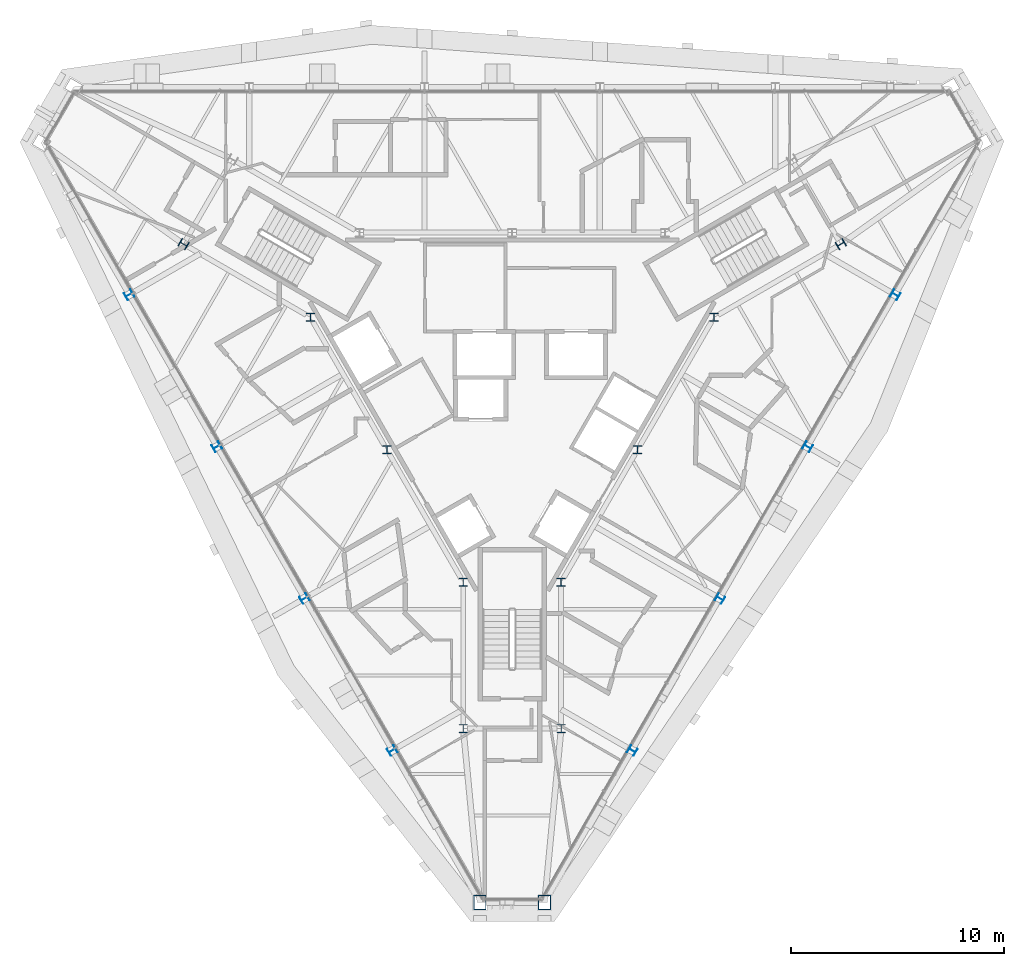
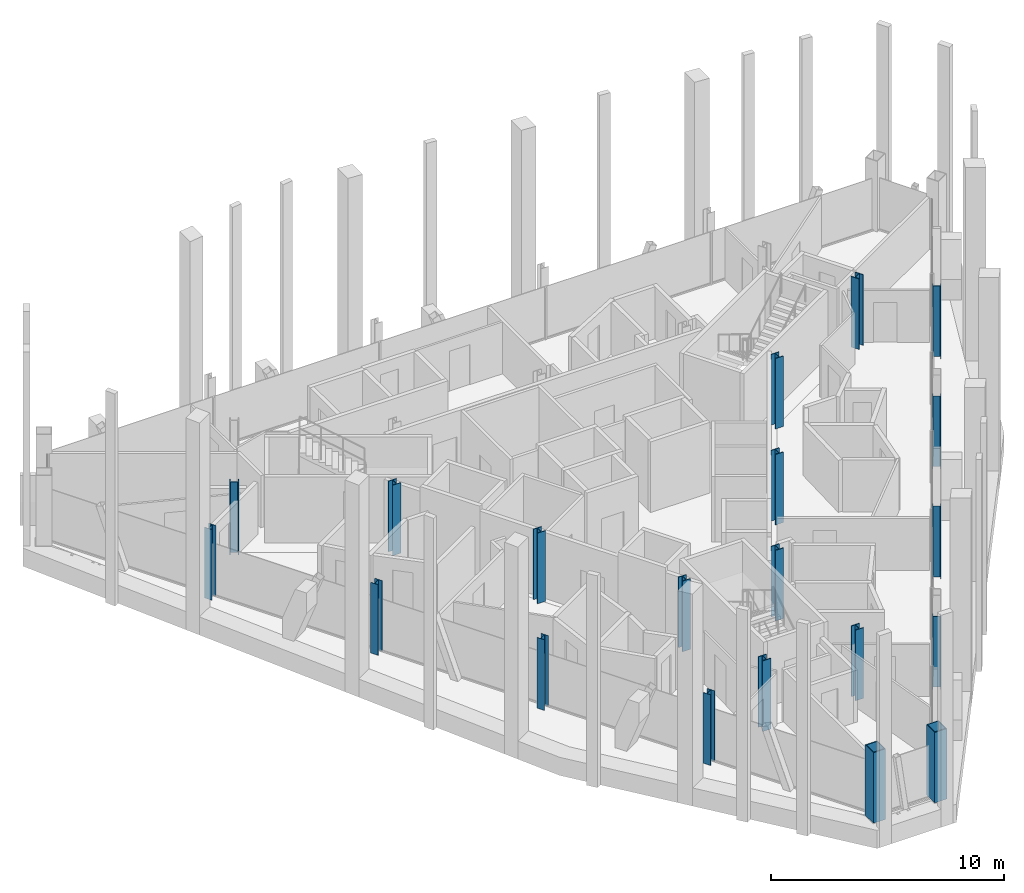
# One storey, part 1 of 15: 20 columns.
"""IFC4 building model written with IfcOpenShell, lengths in metres."""

from ifc_helpers import new_model, si_unit, direction, frame, origin, origin_2d, place, context, subcontext, project, spatial, hollow_rectangle, i_section, extrude, material, material_profile, profile_set, type_object, element, save


model = new_model("IFC4")

# Units and contexts
model_context = context("Model", 3, precision=1e-05, world=origin(), true_north=direction((0.0, 1.0)))
body_context = subcontext(model_context, "Body", "Model", "MODEL_VIEW")
ifc_project = project(units=[si_unit("LENGTHUNIT", "METRE"), si_unit("AREAUNIT", "SQUARE_METRE"), si_unit("VOLUMEUNIT", "CUBIC_METRE"), si_unit("PLANEANGLEUNIT", "RADIAN"), si_unit("MASSUNIT", "GRAM", prefix="KILO")], contexts=[model_context])

# Site, building, storey
site_placement = place(None, origin())
site = spatial("IfcSite", under=ifc_project, at=site_placement, CompositionType="ELEMENT")
building_placement = place(site_placement, origin())
building = spatial("IfcBuilding", under=site, at=building_placement, Name="Verrane Prism Tower", CompositionType="ELEMENT")
storey_placement = place(building_placement, frame((0.0, 0.0, 297.300048828125)))
storey = spatial("IfcBuildingStorey", under=building, at=storey_placement, Name="L75", CompositionType="ELEMENT", Elevation=297.300048828125)

# Columns
ifc_material_1 = material(Name="Steel A992", Category="steel")
ifc_material_profile_1 = material_profile(ifc_material_1, i_section(OverallWidth=0.4013671875, OverallDepth=0.398681640625, WebThickness=0.02490234375, FlangeThickness=0.03955078125, FilletRadius=0.01513671875, at=origin_2d()), Name="W14x211")
ifc_profile_set_1 = profile_set([ifc_material_profile_1], Name="Steel A992")
column_type_1 = type_object("IfcColumnType", Name="Core corner column W14x211", PredefinedType="COLUMN", material=ifc_profile_set_1)
for number, where, z_axis, x_axis, name in (
    (1, (15.43994140625, 6.260009765625, 0.0), (0.0, 0.0, 1.0), (0.5, -0.866025403784, 0.0), "Core corner column CK-NEm L75"),
    (2, (-15.43994140625, 6.260009765625, 0.0), (0.0, 0.0, 1.0), (0.5, 0.866025403784, 0.0), "Core corner column CK-NWp L75"),
    (3, (-2.300048828125, -16.5, 0.0), (0.0, 0.0, 1.0), (-1.0, 0.0, 0.0), "Core corner column CK-Sm L75"),
    (4, (2.300048828125, -16.5, 0.0), (0.0, 0.0, 1.0), (-1.0, 0.0, 0.0), "Core corner column CK-Sp L75"),
):
    element("IfcColumn", number, at=place(storey_placement, frame(where, z_axis=z_axis, x_axis=x_axis)), inside=storey, type_object=column_type_1, Name=name, PredefinedType="COLUMN", context=body_context, shape_type="SweptSolid", body=[
        extrude(i_section(OverallWidth=0.4013671875, OverallDepth=0.398681640625, WebThickness=0.02490234375, FlangeThickness=0.03955078125, FilletRadius=0.01513671875, at=origin_2d()), origin(), (0.0, 0.0, 1.0), 3.699951171875),
    ])
ifc_material_2 = material(Name="Steel A992", Category="steel")
ifc_material_profile_2 = material_profile(ifc_material_2, i_section(OverallWidth=0.398681640625, OverallDepth=0.385986328125, WebThickness=0.02099609375, FlangeThickness=0.033203125, FilletRadius=0.01513671875, at=origin_2d()), Name="W14x176")
ifc_profile_set_2 = profile_set([ifc_material_profile_2], Name="Steel A992")
column_type_2 = type_object("IfcColumnType", Name="Core side column W14x176", PredefinedType="COLUMN", material=ifc_profile_set_2)
for number, where, z_axis, x_axis, name in (
    (5, (9.47998046875, 2.820068359375, 0.0), (0.0, 0.0, 1.0), (1.0, 0.0, 0.0), "Core side column CC-NEm L75"),
    (6, (-9.47998046875, 2.820068359375, 0.0), (0.0, 0.0, 1.0), (1.0, 0.0, 0.0), "Core side column CC-NWp L75"),
    (7, (-5.889892578125, -3.39990234375, 0.0), (0.0, 0.0, 1.0), (1.0, 0.0, 0.0), "Core side column CC-SW0 L75"),
    (8, (-2.300048828125, -9.6201171875, 0.0), (0.0, 0.0, 1.0), (1.0, 0.0, 0.0), "Core side column CC-Sm L75"),
    (9, (2.300048828125, -9.6201171875, 0.0), (0.0, 0.0, 1.0), (1.0, 0.0, 0.0), "Core side column CC-Sp L75"),
    (10, (5.889892578125, -3.39990234375, 0.0), (0.0, 0.0, 1.0), (1.0, 0.0, 0.0), "Core side column CC-SE0 L75"),
):
    element("IfcColumn", number, at=place(storey_placement, frame(where, z_axis=z_axis, x_axis=x_axis)), inside=storey, type_object=column_type_2, Name=name, PredefinedType="COLUMN", context=body_context, shape_type="SweptSolid", body=[
        extrude(i_section(OverallWidth=0.398681640625, OverallDepth=0.385986328125, WebThickness=0.02099609375, FlangeThickness=0.033203125, FilletRadius=0.01513671875, at=origin_2d()), origin(), (0.0, 0.0, 1.0), 3.699951171875),
    ])
ifc_material_3 = material(Name="Steel A572 Grade 50", Category="steel")
ifc_material_profile_3 = material_profile(ifc_material_3, hollow_rectangle(XDim=0.60009765625, YDim=0.699951171875, WallThickness=0.0400390625, at=origin_2d()), Name="BOX 700x600x40")
ifc_profile_set_3 = profile_set([ifc_material_profile_3], Name="Steel A572 Grade 50")
column_type_3 = type_object("IfcColumnType", Name="Megacolumn BOX 700x600x40", PredefinedType="COLUMN", material=ifc_profile_set_3)
for number, where, z_axis, x_axis, name in (
    (11, (-1.52001953125, -24.669921875, 0.0), (0.0, 0.0, 1.0), (-1.0, 0.0, 0.0), "Megacolumn MC-S.a L75"),
    (12, (1.52001953125, -24.669921875, 0.0), (0.0, 0.0, 1.0), (-1.0, 0.0, 0.0), "Megacolumn MC-S.b L75"),
):
    element("IfcColumn", number, at=place(storey_placement, frame(where, z_axis=z_axis, x_axis=x_axis)), inside=storey, type_object=column_type_3, Name=name, PredefinedType="COLUMN", context=body_context, shape_type="SweptSolid", body=[
        extrude(hollow_rectangle(XDim=0.60009765625, YDim=0.699951171875, WallThickness=0.0400390625, at=origin_2d()), origin(), (0.0, 0.0, 1.0), 3.699951171875),
    ])
ifc_material_4 = material(Name="Steel A992", Category="steel")
ifc_material_profile_4 = material_profile(ifc_material_4, i_section(OverallWidth=0.373291015625, OverallDepth=0.368408203125, WebThickness=0.014892578125, FlangeThickness=0.02392578125, FilletRadius=0.01513671875, at=origin_2d()), Name="W14x120")
ifc_profile_set_4 = profile_set([ifc_material_profile_4], Name="Steel A992")
column_type_4 = type_object("IfcColumnType", Name="Perimeter column W14x120", PredefinedType="COLUMN", material=ifc_profile_set_4)
for number, where, z_axis, x_axis, name in (
    (13, (-18.0, 3.8798828125, 0.0), (0.0, 0.0, 1.0), (-0.5, 0.866025403784, 0.0), "Perimeter column PC-SW1 L75"),
    (14, (-13.8798828125, -3.260009765625, 0.0), (0.0, 0.0, 1.0), (-0.5, 0.866025403784, 0.0), "Perimeter column PC-SW2 L75"),
    (15, (-9.760009765625, -10.389892578125, 0.0), (0.0, 0.0, 1.0), (-0.5, 0.866025403784, 0.0), "Perimeter column PC-SW3 L75"),
    (16, (-5.639892578125, -17.530029296875, 0.0), (0.0, 0.0, 1.0), (-0.5, 0.866025403784, 0.0), "Perimeter column PC-SW4 L75"),
    (17, (5.639892578125, -17.530029296875, 0.0), (0.0, 0.0, 1.0), (-0.5, -0.866025403784, 0.0), "Perimeter column PC-SE1 L75"),
    (18, (9.760009765625, -10.389892578125, 0.0), (0.0, 0.0, 1.0), (-0.5, -0.866025403784, 0.0), "Perimeter column PC-SE2 L75"),
    (19, (13.8798828125, -3.260009765625, 0.0), (0.0, 0.0, 1.0), (-0.5, -0.866025403784, 0.0), "Perimeter column PC-SE3 L75"),
    (20, (18.0, 3.8798828125, 0.0), (0.0, 0.0, 1.0), (-0.5, -0.866025403784, 0.0), "Perimeter column PC-SE4 L75"),
):
    element("IfcColumn", number, at=place(storey_placement, frame(where, z_axis=z_axis, x_axis=x_axis)), inside=storey, type_object=column_type_4, Name=name, PredefinedType="COLUMN", context=body_context, shape_type="SweptSolid", body=[
        extrude(i_section(OverallWidth=0.373291015625, OverallDepth=0.368408203125, WebThickness=0.014892578125, FlangeThickness=0.02392578125, FilletRadius=0.01513671875, at=origin_2d()), origin(), (0.0, 0.0, 1.0), 3.699951171875),
    ])

save(model, "model.ifc")
